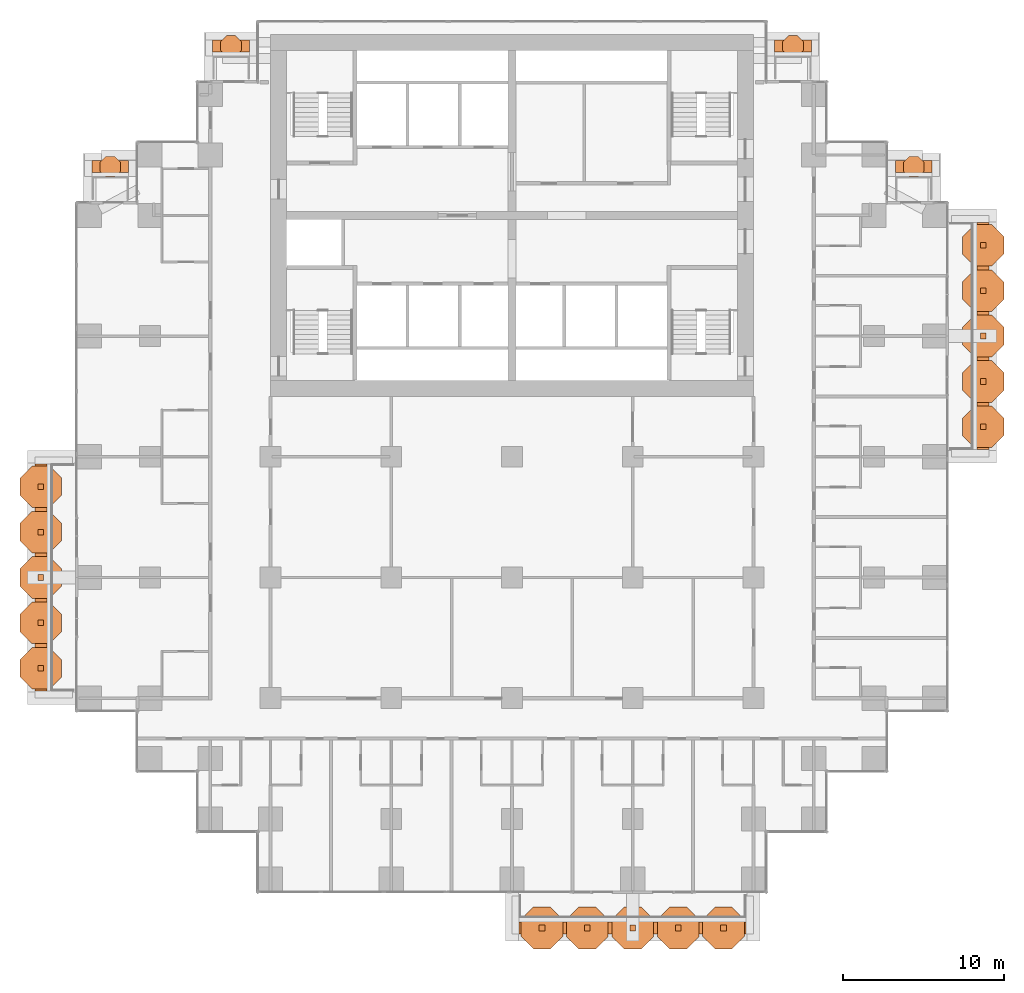
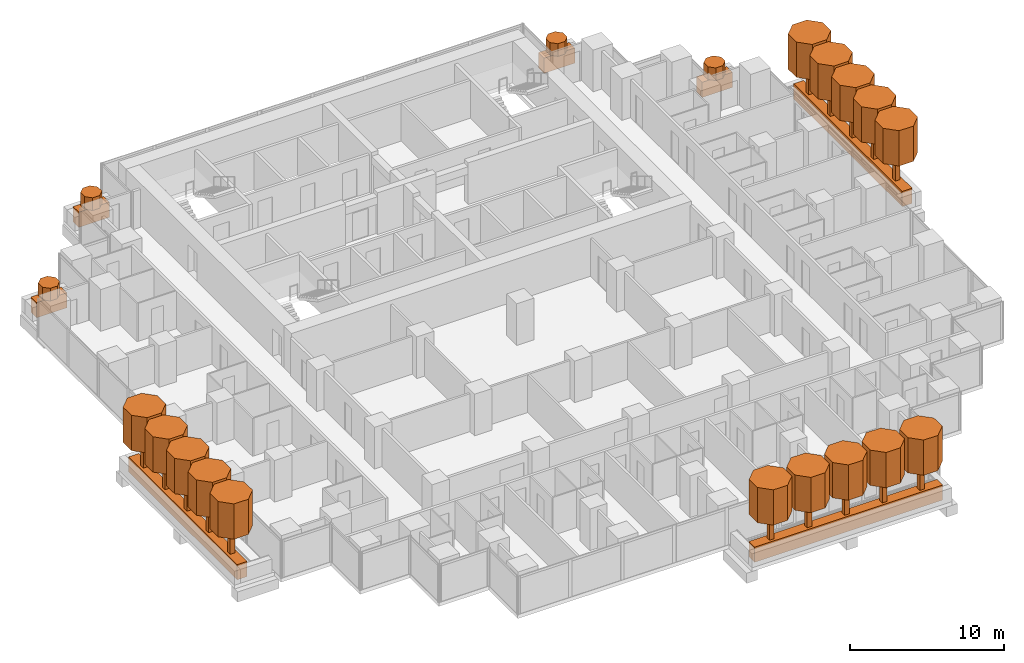
# One storey, part 20 of 20: 41 geographic elements.
"""IFC4 building model written with IfcOpenShell, lengths in metres."""

from ifc_helpers import new_model, si_unit, direction, frame, origin, origin_2d, place, context, subcontext, project, spatial, polyline, rectangle, outline, extrude, material, material_profile, profile_set, type_object, element, save


model = new_model("IFC4")

# Units and contexts
model_context = context("Model", 3, precision=1e-05, world=origin(), true_north=direction((0.0, 1.0)))
body_context = subcontext(model_context, "Body", "Model", "MODEL_VIEW")
ifc_project = project(units=[si_unit("LENGTHUNIT", "METRE"), si_unit("AREAUNIT", "SQUARE_METRE"), si_unit("VOLUMEUNIT", "CUBIC_METRE"), si_unit("PLANEANGLEUNIT", "RADIAN"), si_unit("MASSUNIT", "GRAM", prefix="KILO")], contexts=[model_context])

# Site, building, storey
site_placement = place(None, origin())
site = spatial("IfcSite", under=ifc_project, at=site_placement, CompositionType="ELEMENT")
building_placement = place(site_placement, origin())
building = spatial("IfcBuilding", under=site, at=building_placement, Name="Pilkhan Gate Tower", CompositionType="ELEMENT")
storey_placement = place(building_placement, frame((0.0, 0.0, 92.300048828125)))
storey = spatial("IfcBuildingStorey", under=building, at=storey_placement, Name="L22", CompositionType="ELEMENT", Elevation=92.300048828125)

# Geographic elements
ifc_material_1 = material(Name="Foliage")
ifc_material_profile_1 = material_profile(ifc_material_1, rectangle(XDim=0.75, YDim=1.199951171875, at=origin_2d()), Name="Bed 750x1200")
ifc_profile_set_1 = profile_set([ifc_material_profile_1], Name="Foliage")
geographic_element_type_1 = type_object("IfcGeographicElementType", Name="Planting bed PB1", PredefinedType="USERDEFINED", material=ifc_profile_set_1)
for number, where, z_axis, x_axis, name in (
    (1, (75.449951171875, 38.22509765625, 0.599853515625), (1.0, 0.0, 0.0), (0.0, 1.0, 0.0), "Balcony L22 S planting bed"),
    (2, (104.27490234375, 67.949951171875, 0.599853515625), (0.0, 1.0, 0.0), (-1.0, 0.0, 0.0), "Balcony L22 E planting bed"),
):
    element("IfcGeographicElement", number, at=place(storey_placement, frame(where, z_axis=z_axis, x_axis=x_axis)), inside=storey, type_object=geographic_element_type_1, Name=name, ObjectType="PLANTING BED", PredefinedType="USERDEFINED", context=body_context, shape_type="SweptSolid", body=[
        extrude(rectangle(XDim=0.75, YDim=1.199951171875, at=origin_2d()), origin(), (0.0, 0.0, 1.0), 14.10009765625),
    ])
for number, where, z_axis, x_axis, name in (
    (3, (56.39990234375, 93.02490234375, 0.599853515625), (1.0, 0.0, 0.0), (0.0, 1.0, 0.0), "Balcony L22 N planting bed"),
    (4, (91.300048828125, 93.02490234375, 0.599853515625), (1.0, 0.0, 0.0), (0.0, 1.0, 0.0), "Balcony L22 N planting bed"),
):
    element("IfcGeographicElement", number, at=place(storey_placement, frame(where, z_axis=z_axis, x_axis=x_axis)), inside=storey, type_object=geographic_element_type_1, Name=name, ObjectType="PLANTING BED", PredefinedType="USERDEFINED", context=body_context, shape_type="SweptSolid", body=[
        extrude(rectangle(XDim=0.75, YDim=1.199951171875, at=origin_2d()), origin(), (0.0, 0.0, 1.0), 2.300048828125),
    ])
for number, where, z_axis, x_axis, name in (
    (5, (48.89990234375, 85.52490234375, 0.599853515625), (1.0, 0.0, 0.0), (0.0, 1.0, 0.0), "Balcony L22 N planting bed"),
    (6, (98.820068359375, 85.52490234375, 0.599853515625), (1.0, 0.0, 0.0), (0.0, 1.0, 0.0), "Balcony L22 N planting bed"),
):
    element("IfcGeographicElement", number, at=place(storey_placement, frame(where, z_axis=z_axis, x_axis=x_axis)), inside=storey, type_object=geographic_element_type_1, Name=name, ObjectType="PLANTING BED", PredefinedType="USERDEFINED", context=body_context, shape_type="SweptSolid", body=[
        extrude(rectangle(XDim=0.75, YDim=1.199951171875, at=origin_2d()), origin(), (0.0, 0.0, 1.0), 2.280029296875),
    ])
geographic_element_placement = place(storey_placement, frame((45.72509765625, 52.949951171875, 0.599853515625), z_axis=(0.0, 1.0, 0.0), x_axis=(-1.0, 0.0, 0.0)))
element("IfcGeographicElement", 7, at=geographic_element_placement, inside=storey, type_object=geographic_element_type_1, Name="Balcony L22 W planting bed", ObjectType="PLANTING BED", PredefinedType="USERDEFINED", context=body_context, shape_type="SweptSolid", body=[
    extrude(rectangle(XDim=0.75, YDim=1.199951171875, at=origin_2d()), origin(), (0.0, 0.0, 1.0), 14.10009765625),
])
ifc_material_profile_2 = material_profile(ifc_material_1, outline(polyline([(0.646728515625, 0.267822265625), (0.267822265625, 0.646728515625), (-0.267822265625, 0.646728515625), (-0.646728515625, 0.267822265625), (-0.646728515625, -0.267822265625), (-0.267822265625, -0.646728515625), (0.267822265625, -0.646728515625), (0.646728515625, -0.267822265625), (0.646728515625, 0.267822265625)])), Name="Shrub D1.4")
ifc_profile_set_2 = profile_set([ifc_material_profile_2], Name="Foliage")
geographic_element_type_2 = type_object("IfcGeographicElementType", Name="Shrub SH07", PredefinedType="USERDEFINED", material=ifc_profile_set_2)
for number, where, z_axis, x_axis, name in (
    (8, (57.550048828125, 93.02490234375, 1.199951171875), (0.0, 0.0, 1.0), (1.0, 0.0, 0.0), "Shrub L22 N 1"),
    (9, (92.449951171875, 93.02490234375, 1.199951171875), (0.0, 0.0, 1.0), (1.0, 0.0, 0.0), "Shrub L22 N 1"),
    (10, (50.0400390625, 85.52490234375, 1.199951171875), (0.0, 0.0, 1.0), (1.0, 0.0, 0.0), "Shrub L22 N 1"),
    (11, (99.9599609375, 85.52490234375, 1.199951171875), (0.0, 0.0, 1.0), (1.0, 0.0, 0.0), "Shrub L22 N 1"),
):
    element("IfcGeographicElement", number, at=place(storey_placement, frame(where, z_axis=z_axis, x_axis=x_axis)), inside=storey, type_object=geographic_element_type_2, Name=name, ObjectType="SHRUB", PredefinedType="USERDEFINED", context=body_context, shape_type="SweptSolid", body=[
        extrude(outline(polyline([(0.646728515625, 0.267822265625), (0.267822265625, 0.646728515625), (-0.267822265625, 0.646728515625), (-0.646728515625, 0.267822265625), (-0.646728515625, -0.267822265625), (-0.267822265625, -0.646728515625), (0.267822265625, -0.646728515625), (0.646728515625, -0.267822265625), (0.646728515625, 0.267822265625)])), origin(), (0.0, 0.0, 1.0), 1.0),
    ])
ifc_material_profile_3 = material_profile(ifc_material_1, outline(polyline([(1.29345703125, 0.535888671875), (0.535888671875, 1.29345703125), (-0.535888671875, 1.29345703125), (-1.29345703125, 0.535888671875), (-1.29345703125, -0.535888671875), (-0.535888671875, -1.29345703125), (0.535888671875, -1.29345703125), (1.29345703125, -0.535888671875), (1.29345703125, 0.535888671875)])), Name="Canopy D2.8")
ifc_profile_set_3 = profile_set([ifc_material_profile_3], Name="Foliage")
geographic_element_type_3 = type_object("IfcGeographicElementType", Name="Tree canopy TC14", PredefinedType="USERDEFINED", material=ifc_profile_set_3)
for number, where, z_axis, x_axis, name in (
    (12, (76.860107421875, 38.22509765625, 3.199951171875), (0.0, 0.0, 1.0), (1.0, 0.0, 0.0), "Tree L22 S 1 canopy"),
    (13, (79.679931640625, 38.22509765625, 3.199951171875), (0.0, 0.0, 1.0), (1.0, 0.0, 0.0), "Tree L22 S 2 canopy"),
    (14, (82.5, 38.22509765625, 3.199951171875), (0.0, 0.0, 1.0), (1.0, 0.0, 0.0), "Tree L22 S 3 canopy"),
    (15, (85.320068359375, 38.22509765625, 3.199951171875), (0.0, 0.0, 1.0), (1.0, 0.0, 0.0), "Tree L22 S 4 canopy"),
    (16, (88.139892578125, 38.22509765625, 3.199951171875), (0.0, 0.0, 1.0), (1.0, 0.0, 0.0), "Tree L22 S 5 canopy"),
    (17, (104.27490234375, 69.360107421875, 3.199951171875), (0.0, 0.0, 1.0), (1.0, 0.0, 0.0), "Tree L22 E 1 canopy"),
    (18, (104.27490234375, 72.179931640625, 3.199951171875), (0.0, 0.0, 1.0), (1.0, 0.0, 0.0), "Tree L22 E 2 canopy"),
    (19, (104.27490234375, 75.0, 3.199951171875), (0.0, 0.0, 1.0), (1.0, 0.0, 0.0), "Tree L22 E 3 canopy"),
    (20, (104.27490234375, 77.820068359375, 3.199951171875), (0.0, 0.0, 1.0), (1.0, 0.0, 0.0), "Tree L22 E 4 canopy"),
    (21, (104.27490234375, 80.639892578125, 3.199951171875), (0.0, 0.0, 1.0), (1.0, 0.0, 0.0), "Tree L22 E 5 canopy"),
    (22, (45.72509765625, 54.360107421875, 3.199951171875), (0.0, 0.0, 1.0), (1.0, 0.0, 0.0), "Tree L22 W 1 canopy"),
    (23, (45.72509765625, 57.179931640625, 3.199951171875), (0.0, 0.0, 1.0), (1.0, 0.0, 0.0), "Tree L22 W 2 canopy"),
    (24, (45.72509765625, 60.0, 3.199951171875), (0.0, 0.0, 1.0), (1.0, 0.0, 0.0), "Tree L22 W 3 canopy"),
    (25, (45.72509765625, 62.820068359375, 3.199951171875), (0.0, 0.0, 1.0), (1.0, 0.0, 0.0), "Tree L22 W 4 canopy"),
    (26, (45.72509765625, 65.639892578125, 3.199951171875), (0.0, 0.0, 1.0), (1.0, 0.0, 0.0), "Tree L22 W 5 canopy"),
):
    element("IfcGeographicElement", number, at=place(storey_placement, frame(where, z_axis=z_axis, x_axis=x_axis)), inside=storey, type_object=geographic_element_type_3, Name=name, ObjectType="TREE", PredefinedType="USERDEFINED", context=body_context, shape_type="SweptSolid", body=[
        extrude(outline(polyline([(1.29345703125, 0.535888671875), (0.535888671875, 1.29345703125), (-0.535888671875, 1.29345703125), (-1.29345703125, 0.535888671875), (-1.29345703125, -0.535888671875), (-0.535888671875, -1.29345703125), (0.535888671875, -1.29345703125), (1.29345703125, -0.535888671875), (1.29345703125, 0.535888671875)])), origin(), (0.0, 0.0, 1.0), 2.800048828125),
    ])
ifc_material_2 = material(Name="Timber trunk", Category="wood")
geographic_element_type_4 = type_object("IfcGeographicElementType", Name="Tree trunk TT1", PredefinedType="USERDEFINED", material=ifc_material_2)
for number, where, z_axis, x_axis, name in (
    (27, (76.860107421875, 38.22509765625, 1.199951171875), (0.0, 0.0, 1.0), (1.0, 0.0, 0.0), "Tree L22 S 1 trunk"),
    (28, (79.679931640625, 38.22509765625, 1.199951171875), (0.0, 0.0, 1.0), (1.0, 0.0, 0.0), "Tree L22 S 2 trunk"),
    (29, (82.5, 38.22509765625, 1.199951171875), (0.0, 0.0, 1.0), (1.0, 0.0, 0.0), "Tree L22 S 3 trunk"),
    (30, (85.320068359375, 38.22509765625, 1.199951171875), (0.0, 0.0, 1.0), (1.0, 0.0, 0.0), "Tree L22 S 4 trunk"),
    (31, (88.139892578125, 38.22509765625, 1.199951171875), (0.0, 0.0, 1.0), (1.0, 0.0, 0.0), "Tree L22 S 5 trunk"),
    (32, (104.27490234375, 69.360107421875, 1.199951171875), (0.0, 0.0, 1.0), (1.0, 0.0, 0.0), "Tree L22 E 1 trunk"),
    (33, (104.27490234375, 72.179931640625, 1.199951171875), (0.0, 0.0, 1.0), (1.0, 0.0, 0.0), "Tree L22 E 2 trunk"),
    (34, (104.27490234375, 75.0, 1.199951171875), (0.0, 0.0, 1.0), (1.0, 0.0, 0.0), "Tree L22 E 3 trunk"),
    (35, (104.27490234375, 77.820068359375, 1.199951171875), (0.0, 0.0, 1.0), (1.0, 0.0, 0.0), "Tree L22 E 4 trunk"),
    (36, (104.27490234375, 80.639892578125, 1.199951171875), (0.0, 0.0, 1.0), (1.0, 0.0, 0.0), "Tree L22 E 5 trunk"),
    (37, (45.72509765625, 54.360107421875, 1.199951171875), (0.0, 0.0, 1.0), (1.0, 0.0, 0.0), "Tree L22 W 1 trunk"),
    (38, (45.72509765625, 57.179931640625, 1.199951171875), (0.0, 0.0, 1.0), (1.0, 0.0, 0.0), "Tree L22 W 2 trunk"),
    (39, (45.72509765625, 60.0, 1.199951171875), (0.0, 0.0, 1.0), (1.0, 0.0, 0.0), "Tree L22 W 3 trunk"),
    (40, (45.72509765625, 62.820068359375, 1.199951171875), (0.0, 0.0, 1.0), (1.0, 0.0, 0.0), "Tree L22 W 4 trunk"),
    (41, (45.72509765625, 65.639892578125, 1.199951171875), (0.0, 0.0, 1.0), (1.0, 0.0, 0.0), "Tree L22 W 5 trunk"),
):
    element("IfcGeographicElement", number, at=place(storey_placement, frame(where, z_axis=z_axis, x_axis=x_axis)), inside=storey, type_object=geographic_element_type_4, Name=name, ObjectType="TREE", PredefinedType="USERDEFINED", context=body_context, shape_type="SweptSolid", body=[
        extrude(rectangle(XDim=0.35009765625, YDim=0.35009765625, at=origin_2d()), origin(), (0.0, 0.0, 1.0), 2.0),
    ])

save(model, "model.ifc")
